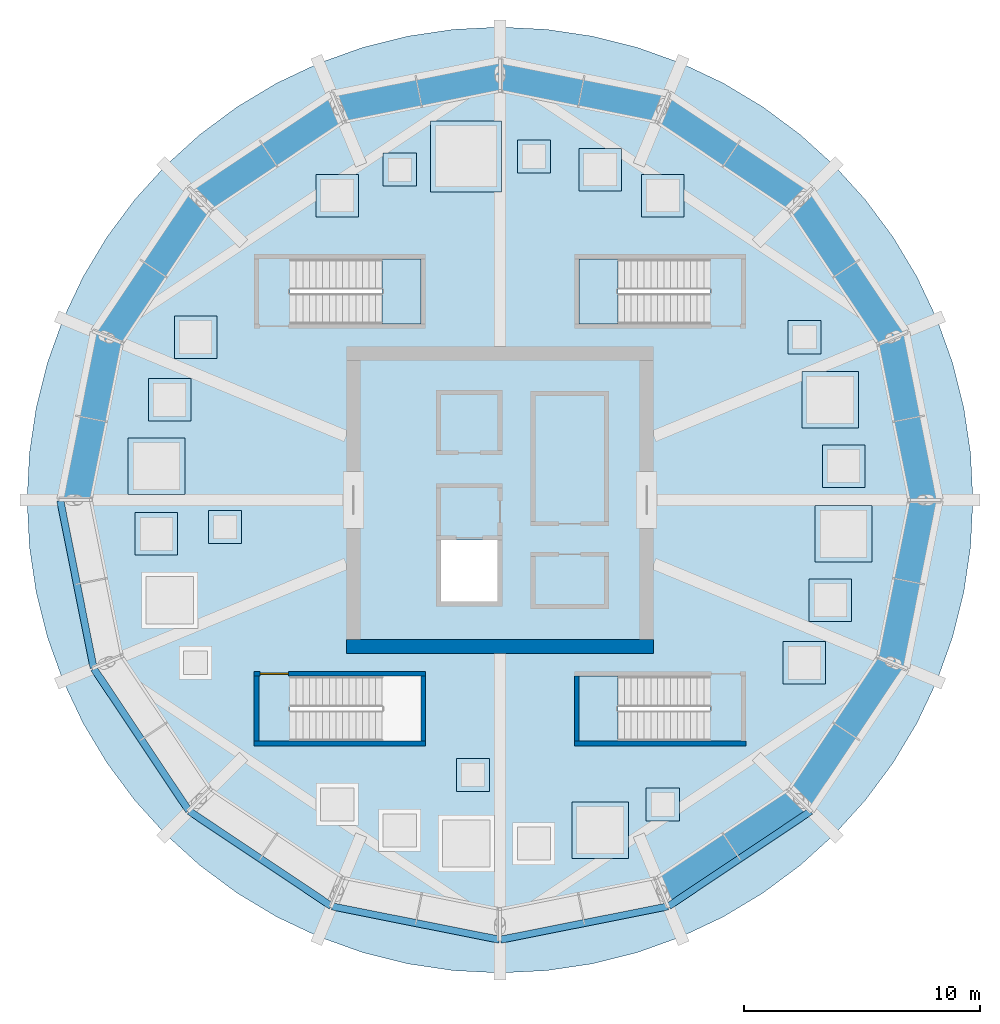
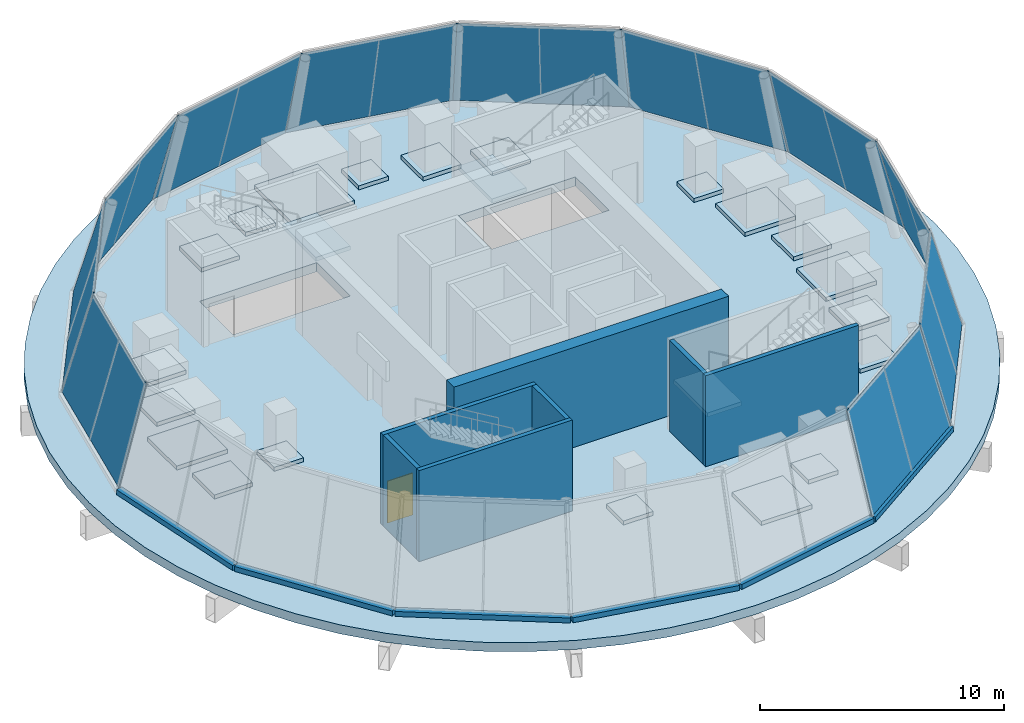
# One storey, part 3 of 7: 24 slabs, 13 walls, 11 plates, 1 door, 1 opening, 14 elements without a shape of their own.
"""IFC4 building model written with IfcOpenShell, lengths in metres."""

import ifcopenshell
import ifcopenshell.guid

model = None  # the IFC model being written
_history = None  # IfcOwnerHistory: only IFC2X3 demands one
_inside = {}  # id of a spatial element -> (the spatial element, [elements in it])
_under = {}  # id of a project, library or spatial element -> (it, [spatial elements below it])
_declared = {}  # id of a project -> (the project, [libraries it declares])
_typed = {}  # id of a type object -> (the type object, [elements of that type])
_made_of = {}  # id of a material, layer set ... -> (it, [elements and type objects made of it])


def new_model(schema):
    """Start an empty IFC model of exactly this schema.

    Asked for "IFC4X3", IfcOpenShell would pick the latest addendum, in which some entities
    have other attributes; the version numbers below select the first issue.
    IFC2X3 requires an IfcOwnerHistory on every rooted entity: one is made here for all.
    """
    global model, _history
    if schema == "IFC4X3":
        model = ifcopenshell.file(schema_version=(4, 3, 0, 0))
    else:
        model = ifcopenshell.file(schema=schema)
    _inside.clear()
    _under.clear()
    _declared.clear()
    _typed.clear()
    _made_of.clear()
    _history = None
    if model.schema == "IFC2X3":
        org = make("IfcOrganization", Name="unknown")
        user = make(
            "IfcPersonAndOrganization",
            ThePerson=make("IfcPerson", FamilyName="unknown"),
            TheOrganization=org,
        )
        app = make(
            "IfcApplication",
            ApplicationDeveloper=org,
            Version="unknown",
            ApplicationFullName="unknown",
            ApplicationIdentifier="unknown",
        )
        _history = make(
            "IfcOwnerHistory",
            OwningUser=user,
            OwningApplication=app,
            ChangeAction="ADDED",
            CreationDate=0,
        )
    return model


def make(cls, **values):
    """One entity of the class cls with the attributes given. An attribute that is None is left unset."""
    return model.create_entity(
        cls, **{name: value for name, value in values.items() if value is not None}
    )


def rooted(cls, **values):
    """An entity with a GlobalId (a new one), such as an element, a storey or a relation."""
    return make(cls, GlobalId=ifcopenshell.guid.new(), OwnerHistory=_history, **values)


def si_unit(unit_type, name, prefix=None):
    """IfcSIUnit, for example si_unit("LENGTHUNIT", "METRE", prefix="MILLI")."""
    return make("IfcSIUnit", UnitType=unit_type, Prefix=prefix, Name=name)


def assignment(units):
    """IfcUnitAssignment: the units of a project."""
    return None if units is None else make("IfcUnitAssignment", Units=units)


def point(xyz):
    """IfcCartesianPoint."""
    return None if xyz is None else make("IfcCartesianPoint", Coordinates=xyz)


def direction(xyz):
    """IfcDirection."""
    return None if xyz is None else make("IfcDirection", DirectionRatios=xyz)


def frame(location, z_axis=None, x_axis=None):
    """IfcAxis2Placement3D, a coordinate frame: its origin and axes. An axis left out is left unset."""
    return make(
        "IfcAxis2Placement3D",
        Location=point(location),
        Axis=direction(z_axis),
        RefDirection=direction(x_axis),
    )


def frame_2d(location, x_axis=None):
    """IfcAxis2Placement2D, a coordinate frame in the plane: its origin and x axis."""
    return make(
        "IfcAxis2Placement2D", Location=point(location), RefDirection=direction(x_axis)
    )


def origin():
    """The frame at (0, 0, 0) with its axes left unset."""
    return frame((0.0, 0.0, 0.0))


def place(relative_to, where):
    """IfcLocalPlacement: puts the frame where relative to a parent placement (None: the world)."""
    return make(
        "IfcLocalPlacement", PlacementRelTo=relative_to, RelativePlacement=where
    )


def context(
    kind, dimensions, precision=None, world=None, true_north=None, identifier=None
):
    """IfcGeometricRepresentationContext, for example the 3D "Model" context."""
    return make(
        "IfcGeometricRepresentationContext",
        ContextIdentifier=identifier,
        ContextType=kind,
        CoordinateSpaceDimension=dimensions,
        Precision=precision,
        WorldCoordinateSystem=world,
        TrueNorth=true_north,
    )


def subcontext(parent, identifier, kind, view, scale=None):
    """IfcGeometricRepresentationSubContext, for example "Body" below "Model"."""
    return make(
        "IfcGeometricRepresentationSubContext",
        ContextIdentifier=identifier,
        ContextType=kind,
        ParentContext=parent,
        TargetScale=scale,
        TargetView=view,
    )


def project(units=None, contexts=None):
    """IfcProject with its units and contexts."""
    return rooted(
        "IfcProject",
        Name="project",
        RepresentationContexts=contexts,
        UnitsInContext=assignment(units),
    )


def spatial(cls, under=None, at=None, **own):
    """A site, building, storey or space (cls), placed at a placement, below another one or the project."""
    s = rooted(cls, ObjectPlacement=at, **own)
    if under is not None:
        _under.setdefault(under.id(), (under, []))[1].append(s)
    return s


def polyline(points):
    """IfcPolyline through the points."""
    return make("IfcPolyline", Points=[point(p) for p in points])


def profile(cls, at=None, kind="AREA", **sizes):
    """A parametric profile (cls). Its sizes go by their IFC names, for example OverallWidth=200.0."""
    return make(cls, ProfileType=kind, Position=at, **sizes)


def rectangle(**sizes):
    """IfcRectangleProfileDef."""
    return profile("IfcRectangleProfileDef", **sizes)


def outline(outer, holes=None, kind="AREA"):
    """IfcArbitraryClosedProfileDef: a profile drawn as a closed curve; with holes, ...WithVoids."""
    if holes is None:
        return make("IfcArbitraryClosedProfileDef", ProfileType=kind, OuterCurve=outer)
    return make(
        "IfcArbitraryProfileDefWithVoids",
        ProfileType=kind,
        OuterCurve=outer,
        InnerCurves=holes,
    )


def extrude(swept, where, along, depth):
    """IfcExtrudedAreaSolid: the profile swept, set in the frame where, extruded along a direction by depth."""
    return make(
        "IfcExtrudedAreaSolid",
        SweptArea=swept,
        Position=where,
        ExtrudedDirection=direction(along),
        Depth=depth,
    )


def shape(context_of_items, identifier, shape_type, items):
    """IfcShapeRepresentation: the items that make up one representation, for example the "Body"."""
    return make(
        "IfcShapeRepresentation",
        ContextOfItems=context_of_items,
        RepresentationIdentifier=identifier,
        RepresentationType=shape_type,
        Items=items,
    )


def material(Name=None, Category=None):
    """IfcMaterial."""
    return make("IfcMaterial", Name=Name, Category=Category)


def layer(
    of_material, thickness, ventilated=None, Name=None, Category=None, Priority=None
):
    """IfcMaterialLayer: one layer of a wall or slab, of a material (None: an air gap)."""
    return make(
        "IfcMaterialLayer",
        Material=of_material,
        LayerThickness=thickness,
        IsVentilated=ventilated,
        Name=Name,
        Category=Category,
        Priority=Priority,
    )


def layer_set(layers, Name=None):
    """IfcMaterialLayerSet."""
    return make("IfcMaterialLayerSet", MaterialLayers=layers, LayerSetName=Name)


def made_of(thing, what):
    """Note that an element or type object is made of a material, layer set ...; save() writes the relation."""
    if what is not None:
        _made_of.setdefault(what.id(), (what, []))[1].append(thing)
    return thing


def type_object(cls, material=None, **own):
    """A type object (cls), such as IfcWallType, which elements share."""
    return made_of(rooted(cls, **own), material)


def element(
    cls,
    number,
    at=None,
    inside=None,
    cuts=None,
    type_object=None,
    material=None,
    context=None,
    identifier="Body",
    shape_type=None,
    held_by="IfcProductDefinitionShape",
    body=None,
    shapes=None,
    **own,
):
    """One element of the class cls, such as IfcWall. Its Tag is "e" and its number.

    at: its placement. inside: the storey or other place that contains it. cuts: it is an
    opening in that element (IfcRelVoidsElement). A single representation is given by context,
    identifier, shape_type and body (its items); several are given by shapes. held_by: the class
    of the entity that holds the representations. save() writes the other relations.
    """
    e = rooted(cls, Tag="e%d" % number, ObjectPlacement=at, **own)
    if body is not None:
        shapes = [shape(context, identifier, shape_type, body)]
    if shapes is not None:
        e.Representation = make(held_by, Representations=shapes)
    if inside is not None:
        _inside.setdefault(inside.id(), (inside, []))[1].append(e)
    if cuts is not None:
        rooted(
            "IfcRelVoidsElement", RelatingBuildingElement=cuts, RelatedOpeningElement=e
        )
    if type_object is not None:
        _typed.setdefault(type_object.id(), (type_object, []))[1].append(e)
    return made_of(e, material)


def fill(opening, filler):
    """IfcRelFillsElement: the door or window that sits in an opening."""
    return rooted(
        "IfcRelFillsElement",
        RelatingOpeningElement=opening,
        RelatedBuildingElement=filler,
    )


def aggregate(whole, parts):
    """IfcRelAggregates: a whole, such as a stair, and the parts it consists of."""
    return rooted("IfcRelAggregates", RelatingObject=whole, RelatedObjects=parts)


def save(model, path):
    """Write the relations noted so far, then the file.

    IfcRelAggregates (storeys below a building ...), IfcRelContainedInSpatialStructure (elements
    in a storey), IfcRelDefinesByType, IfcRelAssociatesMaterial and IfcRelDeclares: one each for
    every whole, place, type object, material and project.
    """
    for whole, parts in _under.values():
        aggregate(whole, parts)
    for where, things in _inside.values():
        rooted(
            "IfcRelContainedInSpatialStructure",
            RelatedElements=things,
            RelatingStructure=where,
        )
    for kind, things in _typed.values():
        rooted("IfcRelDefinesByType", RelatedObjects=things, RelatingType=kind)
    for what, things in _made_of.values():
        rooted("IfcRelAssociatesMaterial", RelatedObjects=things, RelatingMaterial=what)
    for by, libraries in _declared.values():
        rooted("IfcRelDeclares", RelatingContext=by, RelatedDefinitions=libraries)
    model.write(path)


model = new_model("IFC4")

# Units and contexts
model_context = context("Model", 3, precision=1e-05, world=origin(), true_north=direction((0.0, 1.0)))
body_context = subcontext(model_context, "Body", "Model", "MODEL_VIEW")
ifc_project = project(units=[si_unit("LENGTHUNIT", "METRE"), si_unit("AREAUNIT", "SQUARE_METRE"), si_unit("VOLUMEUNIT", "CUBIC_METRE"), si_unit("PLANEANGLEUNIT", "RADIAN"), si_unit("MASSUNIT", "GRAM", prefix="KILO")], contexts=[model_context])

# Site, building, storey
site_placement = place(None, origin())
site = spatial("IfcSite", under=ifc_project, at=site_placement, CompositionType="ELEMENT")
building_placement = place(site_placement, origin())
building = spatial("IfcBuilding", under=site, at=building_placement, Name="Corvane Civic Tower", CompositionType="ELEMENT")
storey_placement = place(building_placement, frame((0.0, 0.0, 387.5)))
storey = spatial("IfcBuildingStorey", under=building, at=storey_placement, Name="L92", CompositionType="ELEMENT", Elevation=387.5)

# Curtain wall, plate
ifc_material_1 = material(Name="Aluminium and glass", Category="aluminium")
curtain_wall_type = type_object("IfcCurtainWallType", Name="CROWN-CW-K-FACET", PredefinedType="NOTDEFINED", material=ifc_material_1)
curtain_wall_1_placement = place(storey_placement, origin())
curtain_wall_1 = element("IfcCurtainWall", 1, at=curtain_wall_1_placement, inside=storey, type_object=curtain_wall_type, Name="Glass cone facet 1 row 1", PredefinedType="NOTDEFINED")
ifc_material_2 = material(Name="Glass tinted low-e laminated", Category="glass")
ifc_layer_1 = layer(ifc_material_2, 0.030029296875)
ifc_layer_set_1 = layer_set([ifc_layer_1], Name="Glass tinted low-e laminated")
plate_type = type_object("IfcPlateType", Name="CROWN-CWK-PANEL-IGU30", PredefinedType="CURTAIN_PANEL", material=ifc_layer_set_1)
plate_1_placement = place(storey_placement, frame((0.0, 18.60009765625, 0.25), z_axis=(-0.188448595812, 0.947242463918, 0.259265966311), x_axis=(-0.980779363242, -0.195120067229, -1.853551e-06)))
plate_1 = element("IfcPlate", 2, at=plate_1_placement, type_object=plate_type, Name="Cone glass panel 1.1", PredefinedType="CURTAIN_PANEL", context=body_context, shape_type="SweptSolid", body=[
    extrude(outline(polyline([(0.0, 0.0), (7.257402032530451, 1.1102230246251565e-16), (7.003770764412753, 4.9181856008742155), (0.25365681037709303, 4.918158717992585), (0.0, 0.0)])), origin(), (0.0, 0.0, -1.0), 0.030029296875),
])
aggregate(curtain_wall_1, [plate_1])

curtain_wall_2_placement = place(storey_placement, origin())
curtain_wall_2 = element("IfcCurtainWall", 3, at=curtain_wall_2_placement, inside=storey, type_object=curtain_wall_type, Name="Glass cone facet 2 row 1", PredefinedType="NOTDEFINED")
plate_2_placement = place(storey_placement, frame((-7.117919921875, 17.18408203125, 0.25), z_axis=(-0.536583736184, 0.803040755887, 0.259236259899), x_axis=(-0.831465261249, -0.555576744777, 1.26104e-07)))
plate_2 = element("IfcPlate", 4, at=plate_2_placement, type_object=plate_type, Name="Cone glass panel 2.1", PredefinedType="CURTAIN_PANEL", context=body_context, shape_type="SweptSolid", body=[
    extrude(outline(polyline([(0.0, 0.0), (7.257286459230759, -1.1102230246251565e-16), (7.003693243644665, 4.918130639020148), (0.25350543423049604, 4.918132467940317), (0.0, 0.0)])), origin(), (0.0, 0.0, -1.0), 0.030029296875),
])
aggregate(curtain_wall_2, [plate_2])

curtain_wall_3_placement = place(storey_placement, origin())
curtain_wall_3 = element("IfcCurtainWall", 5, at=curtain_wall_3_placement, inside=storey, type_object=curtain_wall_type, Name="Glass cone facet 3 row 1", PredefinedType="NOTDEFINED")
plate_3_placement = place(storey_placement, frame((-13.152099609375, 13.152099609375, 0.25), z_axis=(-0.803040755887, 0.536583736184, 0.259236259899), x_axis=(-0.555576744777, -0.831465261249, -1.26104e-07)))
plate_3 = element("IfcPlate", 6, at=plate_3_placement, type_object=plate_type, Name="Cone glass panel 3.1", PredefinedType="CURTAIN_PANEL", context=body_context, shape_type="SweptSolid", body=[
    extrude(outline(polyline([(0.0, 0.0), (7.257286459230759, 1.1102230246251565e-16), (7.003781025000263, 4.918132467940317), (0.25359321558609466, 4.9181306390201485), (0.0, 0.0)])), origin(), (0.0, 0.0, -1.0), 0.030029296875),
])
aggregate(curtain_wall_3, [plate_3])

curtain_wall_4_placement = place(storey_placement, origin())
curtain_wall_4 = element("IfcCurtainWall", 7, at=curtain_wall_4_placement, inside=storey, type_object=curtain_wall_type, Name="Glass cone facet 4 row 1", PredefinedType="NOTDEFINED")
plate_4_placement = place(storey_placement, frame((-17.18408203125, 7.117919921875, 0.25), z_axis=(-0.947254419802, 0.188450974369, 0.259220551701), x_axis=(-0.1951200674, -0.980779363208, 1.85325e-06)))
plate_4 = element("IfcPlate", 8, at=plate_4_placement, type_object=plate_type, Name="Cone glass panel 4.1", PredefinedType="CURTAIN_PANEL", context=body_context, shape_type="SweptSolid", body=[
    extrude(outline(polyline([(0.0, 0.0), (7.257402032530447, 0.0), (7.003792857235194, 4.9180966449594035), (0.2536789031995191, 4.9181235231320635), (0.0, 0.0)])), origin(), (0.0, 0.0, -1.0), 0.030029296875),
])
aggregate(curtain_wall_4, [plate_4])

curtain_wall_5_placement = place(storey_placement, origin())
curtain_wall_5 = element("IfcCurtainWall", 9, at=curtain_wall_5_placement, inside=storey, type_object=curtain_wall_type, Name="Glass cone facet 10 row 1", PredefinedType="NOTDEFINED")
plate_5_placement = place(storey_placement, frame((7.117919921875, -17.18408203125, 0.25), z_axis=(0.536583736184, -0.803040755887, 0.259236259899), x_axis=(0.831465261249, 0.555576744777, 1.26104e-07)))
plate_5 = element("IfcPlate", 10, at=plate_5_placement, type_object=plate_type, Name="Cone glass panel 10.1", PredefinedType="CURTAIN_PANEL", context=body_context, shape_type="SweptSolid", body=[
    extrude(outline(polyline([(0.0, 0.0), (7.257286459230759, -1.1102230246251565e-16), (7.003693243644665, 4.918130639020148), (0.25350543423049604, 4.918132467940317), (0.0, 0.0)])), origin(), (0.0, 0.0, -1.0), 0.030029296875),
])
aggregate(curtain_wall_5, [plate_5])

curtain_wall_6_placement = place(storey_placement, origin())
curtain_wall_6 = element("IfcCurtainWall", 11, at=curtain_wall_6_placement, inside=storey, type_object=curtain_wall_type, Name="Glass cone facet 11 row 1", PredefinedType="NOTDEFINED")
plate_6_placement = place(storey_placement, frame((13.152099609375, -13.152099609375, 0.25), z_axis=(0.803040755887, -0.536583736184, 0.259236259899), x_axis=(0.555576744777, 0.831465261249, -1.26104e-07)))
plate_6 = element("IfcPlate", 12, at=plate_6_placement, type_object=plate_type, Name="Cone glass panel 11.1", PredefinedType="CURTAIN_PANEL", context=body_context, shape_type="SweptSolid", body=[
    extrude(outline(polyline([(0.0, 0.0), (7.257286459230759, 1.1102230246251565e-16), (7.003781025000263, 4.918132467940317), (0.25359321558609466, 4.9181306390201485), (0.0, 0.0)])), origin(), (0.0, 0.0, -1.0), 0.030029296875),
])
aggregate(curtain_wall_6, [plate_6])

curtain_wall_7_placement = place(storey_placement, origin())
curtain_wall_7 = element("IfcCurtainWall", 13, at=curtain_wall_7_placement, inside=storey, type_object=curtain_wall_type, Name="Glass cone facet 12 row 1", PredefinedType="NOTDEFINED")
plate_7_placement = place(storey_placement, frame((17.18408203125, -7.117919921875, 0.25), z_axis=(0.947254419802, -0.188450974369, 0.259220551701), x_axis=(0.1951200674, 0.980779363208, 1.85325e-06)))
plate_7 = element("IfcPlate", 14, at=plate_7_placement, type_object=plate_type, Name="Cone glass panel 12.1", PredefinedType="CURTAIN_PANEL", context=body_context, shape_type="SweptSolid", body=[
    extrude(outline(polyline([(0.0, 0.0), (7.257402032530447, 0.0), (7.003792857235194, 4.9180966449594035), (0.2536789031995191, 4.9181235231320635), (0.0, 0.0)])), origin(), (0.0, 0.0, -1.0), 0.030029296875),
])
aggregate(curtain_wall_7, [plate_7])

curtain_wall_8_placement = place(storey_placement, origin())
curtain_wall_8 = element("IfcCurtainWall", 15, at=curtain_wall_8_placement, inside=storey, type_object=curtain_wall_type, Name="Glass cone facet 13 row 1", PredefinedType="NOTDEFINED")
plate_8_placement = place(storey_placement, frame((18.60009765625, 0.0, 0.25), z_axis=(0.947242463918, 0.188448595812, 0.259265966311), x_axis=(-0.195120067229, 0.980779363242, -1.853551e-06)))
plate_8 = element("IfcPlate", 16, at=plate_8_placement, type_object=plate_type, Name="Cone glass panel 13.1", PredefinedType="CURTAIN_PANEL", context=body_context, shape_type="SweptSolid", body=[
    extrude(outline(polyline([(0.0, 0.0), (7.257402032530451, 1.1102230246251565e-16), (7.003770764412753, 4.9181856008742155), (0.25365681037709303, 4.918158717992585), (0.0, 0.0)])), origin(), (0.0, 0.0, -1.0), 0.030029296875),
])
aggregate(curtain_wall_8, [plate_8])

curtain_wall_9_placement = place(storey_placement, origin())
curtain_wall_9 = element("IfcCurtainWall", 17, at=curtain_wall_9_placement, inside=storey, type_object=curtain_wall_type, Name="Glass cone facet 14 row 1", PredefinedType="NOTDEFINED")
plate_9_placement = place(storey_placement, frame((17.18408203125, 7.117919921875, 0.25), z_axis=(0.803040755887, 0.536583736184, 0.259236259899), x_axis=(-0.555576744777, 0.831465261249, 1.26104e-07)))
plate_9 = element("IfcPlate", 18, at=plate_9_placement, type_object=plate_type, Name="Cone glass panel 14.1", PredefinedType="CURTAIN_PANEL", context=body_context, shape_type="SweptSolid", body=[
    extrude(outline(polyline([(0.0, 0.0), (7.257286459230759, -1.1102230246251565e-16), (7.003693243644665, 4.918130639020148), (0.25350543423049604, 4.918132467940317), (0.0, 0.0)])), origin(), (0.0, 0.0, -1.0), 0.030029296875),
])
aggregate(curtain_wall_9, [plate_9])

curtain_wall_10_placement = place(storey_placement, origin())
curtain_wall_10 = element("IfcCurtainWall", 19, at=curtain_wall_10_placement, inside=storey, type_object=curtain_wall_type, Name="Glass cone facet 15 row 1", PredefinedType="NOTDEFINED")
plate_10_placement = place(storey_placement, frame((13.152099609375, 13.152099609375, 0.25), z_axis=(0.536583736184, 0.803040755887, 0.259236259899), x_axis=(-0.831465261249, 0.555576744777, -1.26104e-07)))
plate_10 = element("IfcPlate", 20, at=plate_10_placement, type_object=plate_type, Name="Cone glass panel 15.1", PredefinedType="CURTAIN_PANEL", context=body_context, shape_type="SweptSolid", body=[
    extrude(outline(polyline([(0.0, 0.0), (7.257286459230759, 1.1102230246251565e-16), (7.003781025000263, 4.918132467940317), (0.25359321558609466, 4.9181306390201485), (0.0, 0.0)])), origin(), (0.0, 0.0, -1.0), 0.030029296875),
])
aggregate(curtain_wall_10, [plate_10])

curtain_wall_11_placement = place(storey_placement, origin())
curtain_wall_11 = element("IfcCurtainWall", 21, at=curtain_wall_11_placement, inside=storey, type_object=curtain_wall_type, Name="Glass cone facet 16 row 1", PredefinedType="NOTDEFINED")
plate_11_placement = place(storey_placement, frame((7.117919921875, 17.18408203125, 0.25), z_axis=(0.188450974369, 0.947254419802, 0.259220551701), x_axis=(-0.980779363208, 0.1951200674, 1.85325e-06)))
plate_11 = element("IfcPlate", 22, at=plate_11_placement, type_object=plate_type, Name="Cone glass panel 16.1", PredefinedType="CURTAIN_PANEL", context=body_context, shape_type="SweptSolid", body=[
    extrude(outline(polyline([(0.0, 0.0), (7.257402032530447, 0.0), (7.003792857235194, 4.9180966449594035), (0.2536789031995191, 4.9181235231320635), (0.0, 0.0)])), origin(), (0.0, 0.0, -1.0), 0.030029296875),
])
aggregate(curtain_wall_11, [plate_11])

# Slabs
ifc_material_3 = material(Name="Concrete C30/37", Category="concrete")
ifc_layer_2 = layer(ifc_material_3, 0.199951171875)
ifc_layer_set_2 = layer_set([ifc_layer_2], Name="Concrete C30/37")
slab_type_1 = type_object("IfcSlabType", Name="CROWN-SL-PLINTH-200", PredefinedType="USERDEFINED", material=ifc_layer_set_2)
slab_1_placement = place(storey_placement, origin())
element("IfcSlab", 23, at=slab_1_placement, inside=storey, type_object=slab_type_1, Name="Chiller plinth L92-01", ObjectType="PLINTH", PredefinedType="USERDEFINED", context=body_context, shape_type="SweptSolid", body=[
    extrude(outline(polyline([(0.069091796875, 13.030029296875), (0.069091796875, 16.030029296875), (-2.930908203125, 16.030029296875), (-2.930908203125, 13.030029296875), (0.069091796875, 13.030029296875)])), origin(), (0.0, 0.0, 1.0), 0.199951171875),
])
slab_2_placement = place(storey_placement, origin())
element("IfcSlab", 24, at=slab_2_placement, inside=storey, type_object=slab_type_1, Name="Chiller plinth L92-02", ObjectType="PLINTH", PredefinedType="USERDEFINED", context=body_context, shape_type="SweptSolid", body=[
    extrude(outline(polyline([(-3.5380859375, 13.27099609375), (-3.5380859375, 14.6708984375), (-4.93798828125, 14.6708984375), (-4.93798828125, 13.27099609375), (-3.5380859375, 13.27099609375)])), origin(), (0.0, 0.0, 1.0), 0.199951171875),
])
slab_3_placement = place(storey_placement, origin())
element("IfcSlab", 25, at=slab_3_placement, inside=storey, type_object=slab_type_1, Name="Air handler plinth L92-03", ObjectType="PLINTH", PredefinedType="USERDEFINED", context=body_context, shape_type="SweptSolid", body=[
    extrude(outline(polyline([(-5.98193359375, 11.97607421875), (-5.98193359375, 13.77587890625), (-7.781982421875, 13.77587890625), (-7.781982421875, 11.97607421875), (-5.98193359375, 11.97607421875)])), origin(), (0.0, 0.0, 1.0), 0.199951171875),
])
slab_4_placement = place(storey_placement, origin())
element("IfcSlab", 26, at=slab_4_placement, inside=storey, type_object=slab_type_1, Name="Water tank plinth L92-04", ObjectType="PLINTH", PredefinedType="USERDEFINED", context=body_context, shape_type="SweptSolid", body=[
    extrude(outline(polyline([(-11.97607421875, 5.98193359375), (-11.97607421875, 7.781982421875), (-13.77587890625, 7.781982421875), (-13.77587890625, 5.98193359375), (-11.97607421875, 5.98193359375)])), origin(), (0.0, 0.0, 1.0), 0.199951171875),
])
slab_5_placement = place(storey_placement, origin())
element("IfcSlab", 27, at=slab_5_placement, inside=storey, type_object=slab_type_1, Name="Chiller plinth L92-05", ObjectType="PLINTH", PredefinedType="USERDEFINED", context=body_context, shape_type="SweptSolid", body=[
    extrude(outline(polyline([(-13.071044921875, 3.337890625), (-13.071044921875, 5.137939453125), (-14.87109375, 5.137939453125), (-14.87109375, 3.337890625), (-13.071044921875, 3.337890625)])), origin(), (0.0, 0.0, 1.0), 0.199951171875),
])
slab_6_placement = place(storey_placement, origin())
element("IfcSlab", 28, at=slab_6_placement, inside=storey, type_object=slab_type_1, Name="Chiller plinth L92-06", ObjectType="PLINTH", PredefinedType="USERDEFINED", context=body_context, shape_type="SweptSolid", body=[
    extrude(outline(polyline([(-13.330078125, 0.23095703125), (-13.330078125, 2.631103515625), (-15.72998046875, 2.631103515625), (-15.72998046875, 0.23095703125), (-13.330078125, 0.23095703125)])), origin(), (0.0, 0.0, 1.0), 0.199951171875),
])
slab_7_placement = place(storey_placement, origin())
element("IfcSlab", 29, at=slab_7_placement, inside=storey, type_object=slab_type_1, Name="Air handler plinth L92-07", ObjectType="PLINTH", PredefinedType="USERDEFINED", context=body_context, shape_type="SweptSolid", body=[
    extrude(outline(polyline([(-13.6298828125, -2.3310546875), (-13.6298828125, -0.531005859375), (-15.429931640625, -0.531005859375), (-15.429931640625, -2.3310546875), (-13.6298828125, -2.3310546875)])), origin(), (0.0, 0.0, 1.0), 0.199951171875),
])
slab_8_placement = place(storey_placement, origin())
element("IfcSlab", 30, at=slab_8_placement, inside=storey, type_object=slab_type_1, Name="Chiller plinth L92-14", ObjectType="PLINTH", PredefinedType="USERDEFINED", context=body_context, shape_type="SweptSolid", body=[
    extrude(outline(polyline([(5.43798828125, -15.1708984375), (5.43798828125, -12.77099609375), (3.0380859375, -12.77099609375), (3.0380859375, -15.1708984375), (5.43798828125, -15.1708984375)])), origin(), (0.0, 0.0, 1.0), 0.199951171875),
])
slab_9_placement = place(storey_placement, origin())
element("IfcSlab", 31, at=slab_9_placement, inside=storey, type_object=slab_type_1, Name="Air handler plinth L92-15", ObjectType="PLINTH", PredefinedType="USERDEFINED", context=body_context, shape_type="SweptSolid", body=[
    extrude(outline(polyline([(7.58203125, -13.575927734375), (7.58203125, -12.176025390625), (6.181884765625, -12.176025390625), (6.181884765625, -13.575927734375), (7.58203125, -13.575927734375)])), origin(), (0.0, 0.0, 1.0), 0.199951171875),
])
slab_10_placement = place(storey_placement, origin())
element("IfcSlab", 32, at=slab_10_placement, inside=storey, type_object=slab_type_1, Name="Water tank plinth L92-16", ObjectType="PLINTH", PredefinedType="USERDEFINED", context=body_context, shape_type="SweptSolid", body=[
    extrude(outline(polyline([(13.77587890625, -7.781982421875), (13.77587890625, -5.98193359375), (11.97607421875, -5.98193359375), (11.97607421875, -7.781982421875), (13.77587890625, -7.781982421875)])), origin(), (0.0, 0.0, 1.0), 0.199951171875),
])
slab_11_placement = place(storey_placement, origin())
element("IfcSlab", 33, at=slab_11_placement, inside=storey, type_object=slab_type_1, Name="Chiller plinth L92-17", ObjectType="PLINTH", PredefinedType="USERDEFINED", context=body_context, shape_type="SweptSolid", body=[
    extrude(outline(polyline([(14.87109375, -5.137939453125), (14.87109375, -3.337890625), (13.071044921875, -3.337890625), (13.071044921875, -5.137939453125), (14.87109375, -5.137939453125)])), origin(), (0.0, 0.0, 1.0), 0.199951171875),
])
slab_12_placement = place(storey_placement, origin())
element("IfcSlab", 34, at=slab_12_placement, inside=storey, type_object=slab_type_1, Name="Chiller plinth L92-18", ObjectType="PLINTH", PredefinedType="USERDEFINED", context=body_context, shape_type="SweptSolid", body=[
    extrude(outline(polyline([(15.72998046875, -2.631103515625), (15.72998046875, -0.23095703125), (13.330078125, -0.23095703125), (13.330078125, -2.631103515625), (15.72998046875, -2.631103515625)])), origin(), (0.0, 0.0, 1.0), 0.199951171875),
])
slab_13_placement = place(storey_placement, origin())
element("IfcSlab", 35, at=slab_13_placement, inside=storey, type_object=slab_type_1, Name="Air handler plinth L92-19", ObjectType="PLINTH", PredefinedType="USERDEFINED", context=body_context, shape_type="SweptSolid", body=[
    extrude(outline(polyline([(15.429931640625, 0.531005859375), (15.429931640625, 2.3310546875), (13.6298828125, 2.3310546875), (13.6298828125, 0.531005859375), (15.429931640625, 0.531005859375)])), origin(), (0.0, 0.0, 1.0), 0.199951171875),
])
slab_14_placement = place(storey_placement, origin())
element("IfcSlab", 36, at=slab_14_placement, inside=storey, type_object=slab_type_1, Name="Water tank plinth L92-20", ObjectType="PLINTH", PredefinedType="USERDEFINED", context=body_context, shape_type="SweptSolid", body=[
    extrude(outline(polyline([(15.1708984375, 3.0380859375), (15.1708984375, 5.43798828125), (12.77099609375, 5.43798828125), (12.77099609375, 3.0380859375), (15.1708984375, 3.0380859375)])), origin(), (0.0, 0.0, 1.0), 0.199951171875),
])
slab_15_placement = place(storey_placement, origin())
element("IfcSlab", 37, at=slab_15_placement, inside=storey, type_object=slab_type_1, Name="Chiller plinth L92-21", ObjectType="PLINTH", PredefinedType="USERDEFINED", context=body_context, shape_type="SweptSolid", body=[
    extrude(outline(polyline([(13.575927734375, 6.181884765625), (13.575927734375, 7.58203125), (12.176025390625, 7.58203125), (12.176025390625, 6.181884765625), (13.575927734375, 6.181884765625)])), origin(), (0.0, 0.0, 1.0), 0.199951171875),
])
slab_16_placement = place(storey_placement, origin())
element("IfcSlab", 38, at=slab_16_placement, inside=storey, type_object=slab_type_1, Name="Chiller plinth L92-22", ObjectType="PLINTH", PredefinedType="USERDEFINED", context=body_context, shape_type="SweptSolid", body=[
    extrude(outline(polyline([(7.781982421875, 11.97607421875), (7.781982421875, 13.77587890625), (5.98193359375, 13.77587890625), (5.98193359375, 11.97607421875), (7.781982421875, 11.97607421875)])), origin(), (0.0, 0.0, 1.0), 0.199951171875),
])
slab_17_placement = place(storey_placement, origin())
element("IfcSlab", 39, at=slab_17_placement, inside=storey, type_object=slab_type_1, Name="Air handler plinth L92-23", ObjectType="PLINTH", PredefinedType="USERDEFINED", context=body_context, shape_type="SweptSolid", body=[
    extrude(outline(polyline([(5.137939453125, 13.071044921875), (5.137939453125, 14.87109375), (3.337890625, 14.87109375), (3.337890625, 13.071044921875), (5.137939453125, 13.071044921875)])), origin(), (0.0, 0.0, 1.0), 0.199951171875),
])
slab_18_placement = place(storey_placement, origin())
element("IfcSlab", 40, at=slab_18_placement, inside=storey, type_object=slab_type_1, Name="Water tank plinth L92-24", ObjectType="PLINTH", PredefinedType="USERDEFINED", context=body_context, shape_type="SweptSolid", body=[
    extrude(outline(polyline([(2.131103515625, 13.830078125), (2.131103515625, 15.22998046875), (0.73095703125, 15.22998046875), (0.73095703125, 13.830078125), (2.131103515625, 13.830078125)])), origin(), (0.0, 0.0, 1.0), 0.199951171875),
])
slab_19_placement = place(storey_placement, origin())
element("IfcSlab", 41, at=slab_19_placement, inside=storey, type_object=slab_type_1, Name="Chiller plinth L92-25", ObjectType="PLINTH", PredefinedType="USERDEFINED", context=body_context, shape_type="SweptSolid", body=[
    extrude(outline(polyline([(-10.924072265625, -1.844970703125), (-10.924072265625, -0.445068359375), (-12.323974609375, -0.445068359375), (-12.323974609375, -1.844970703125), (-10.924072265625, -1.844970703125)])), origin(), (0.0, 0.0, 1.0), 0.199951171875),
])
slab_20_placement = place(storey_placement, origin())
element("IfcSlab", 42, at=slab_20_placement, inside=storey, type_object=slab_type_1, Name="Chiller plinth L92-26", ObjectType="PLINTH", PredefinedType="USERDEFINED", context=body_context, shape_type="SweptSolid", body=[
    extrude(outline(polyline([(-0.445068359375, -12.323974609375), (-0.445068359375, -10.924072265625), (-1.844970703125, -10.924072265625), (-1.844970703125, -12.323974609375), (-0.445068359375, -12.323974609375)])), origin(), (0.0, 0.0, 1.0), 0.199951171875),
])

# Stair, slab
ifc_material_4 = material(Name="Concrete C40/50", Category="concrete")
stair_type = type_object("IfcStairType", Name="ST-STAIR-HALFTURN", PredefinedType="HALF_TURN_STAIR", material=ifc_material_4)
stair_1_placement = place(storey_placement, origin())
stair_1 = element("IfcStair", 43, at=stair_1_placement, inside=storey, type_object=stair_type, Name="L92 Exit stair ST1", PredefinedType="HALF_TURN_STAIR")
ifc_material_5 = material(Name="Concrete C40/50", Category="concrete")
ifc_layer_3 = layer(ifc_material_5, 0.199951171875)
ifc_layer_set_3 = layer_set([ifc_layer_3], Name="Concrete C40/50")
slab_type_2 = type_object("IfcSlabType", Name="ST-LANDING-RC", PredefinedType="LANDING", material=ifc_layer_set_3)
slab_21_placement = place(storey_placement, frame((0.0, 0.0, 2.300048828125)))
slab_21 = element("IfcSlab", 44, at=slab_21_placement, type_object=slab_type_2, Name="ST1 landing 1", PredefinedType="LANDING", context=body_context, shape_type="SweptSolid", body=[
    extrude(outline(polyline([(4.97998046875, 10.199951171875), (3.35009765625, 10.199951171875), (3.35009765625, 7.449951171875), (4.97998046875, 7.449951171875), (4.97998046875, 10.199951171875)])), origin(), (0.0, 0.0, 1.0), 0.199951171875),
])
aggregate(stair_1, [slab_21])

stair_2_placement = place(storey_placement, origin())
stair_2 = element("IfcStair", 45, at=stair_2_placement, inside=storey, type_object=stair_type, Name="L92 Exit stair ST2", PredefinedType="HALF_TURN_STAIR")
slab_22_placement = place(storey_placement, frame((0.0, 0.0, 2.300048828125)))
slab_22 = element("IfcSlab", 46, at=slab_22_placement, type_object=slab_type_2, Name="ST2 landing 1", PredefinedType="LANDING", context=body_context, shape_type="SweptSolid", body=[
    extrude(outline(polyline([(4.97998046875, -7.449951171875), (3.35009765625, -7.449951171875), (3.35009765625, -10.199951171875), (4.97998046875, -10.199951171875), (4.97998046875, -7.449951171875)])), origin(), (0.0, 0.0, 1.0), 0.199951171875),
])
aggregate(stair_2, [slab_22])

stair_3_placement = place(storey_placement, origin())
stair_3 = element("IfcStair", 47, at=stair_3_placement, inside=storey, type_object=stair_type, Name="L92 Exit stair ST4", PredefinedType="HALF_TURN_STAIR")
slab_23_placement = place(storey_placement, frame((0.0, 0.0, 2.300048828125)))
slab_23 = element("IfcSlab", 48, at=slab_23_placement, type_object=slab_type_2, Name="ST4 landing 1", PredefinedType="LANDING", context=body_context, shape_type="SweptSolid", body=[
    extrude(outline(polyline([(-4.97998046875, 7.449951171875), (-3.35009765625, 7.449951171875), (-3.35009765625, 10.199951171875), (-4.97998046875, 10.199951171875), (-4.97998046875, 7.449951171875)])), origin(), (0.0, 0.0, 1.0), 0.199951171875),
])
aggregate(stair_3, [slab_23])

# Slab
ifc_material_6 = material(Name="Concrete C50/60", Category="concrete")
ifc_layer_4 = layer(ifc_material_6, 0.449951171875)
ifc_layer_set_4 = layer_set([ifc_layer_4], Name="Concrete C50/60")
slab_type_3 = type_object("IfcSlabType", Name="TRANSFER FLOOR SLAB 450", PredefinedType="FLOOR", material=ifc_layer_set_4)
slab_24_placement = place(storey_placement, frame((0.0, 0.0, -0.449951171875)))
element("IfcSlab", 49, at=slab_24_placement, inside=storey, type_object=slab_type_3, Name="SLB-L92", PredefinedType="FLOOR", context=body_context, shape_type="SweptSolid", body=[
    extrude(outline(polyline([(0.0, 20.0), (-1.96044921875, 19.90380859375), (-3.90185546875, 19.61572265625), (-5.8056640625, 19.138916015625), (-7.653564453125, 18.4775390625), (-9.427978515625, 17.638427734375), (-11.111328125, 16.62939453125), (-12.687744140625, 15.460205078125), (-14.14208984375, 14.14208984375), (-15.460205078125, 12.687744140625), (-16.62939453125, 11.111328125), (-17.638427734375, 9.427978515625), (-18.4775390625, 7.653564453125), (-19.138916015625, 5.8056640625), (-19.61572265625, 3.90185546875), (-19.90380859375, 1.96044921875), (-20.0, 0.0), (-19.90380859375, -1.96044921875), (-19.61572265625, -3.90185546875), (-19.138916015625, -5.8056640625), (-18.4775390625, -7.653564453125), (-17.638427734375, -9.427978515625), (-16.62939453125, -11.111328125), (-15.460205078125, -12.687744140625), (-14.14208984375, -14.14208984375), (-12.687744140625, -15.460205078125), (-11.111328125, -16.62939453125), (-9.427978515625, -17.638427734375), (-7.653564453125, -18.4775390625), (-5.8056640625, -19.138916015625), (-3.90185546875, -19.61572265625), (-1.96044921875, -19.90380859375), (0.0, -20.0), (1.96044921875, -19.90380859375), (3.90185546875, -19.61572265625), (5.8056640625, -19.138916015625), (7.653564453125, -18.4775390625), (9.427978515625, -17.638427734375), (11.111328125, -16.62939453125), (12.687744140625, -15.460205078125), (14.14208984375, -14.14208984375), (15.460205078125, -12.687744140625), (16.62939453125, -11.111328125), (17.638427734375, -9.427978515625), (18.4775390625, -7.653564453125), (19.138916015625, -5.8056640625), (19.61572265625, -3.90185546875), (19.90380859375, -1.96044921875), (20.0, 0.0), (19.90380859375, 1.96044921875), (19.61572265625, 3.90185546875), (19.138916015625, 5.8056640625), (18.4775390625, 7.653564453125), (17.638427734375, 9.427978515625), (16.62939453125, 11.111328125), (15.460205078125, 12.687744140625), (14.14208984375, 14.14208984375), (12.687744140625, 15.460205078125), (11.111328125, 16.62939453125), (9.427978515625, 17.638427734375), (7.653564453125, 18.4775390625), (5.8056640625, 19.138916015625), (3.90185546875, 19.61572265625), (1.96044921875, 19.90380859375), (0.0, 20.0)]), holes=[polyline([(-0.10009765625, -1.699951171875), (-0.10009765625, -4.300048828125), (-2.5, -4.300048828125), (-2.5, -1.699951171875), (-0.10009765625, -1.699951171875)]), polyline([(8.889892578125, 10.199951171875), (8.889892578125, 7.449951171875), (3.35009765625, 7.449951171875), (3.35009765625, 10.199951171875), (8.889892578125, 10.199951171875)]), polyline([(-8.889892578125, 7.449951171875), (-8.889892578125, 10.199951171875), (-3.35009765625, 10.199951171875), (-3.35009765625, 7.449951171875), (-8.889892578125, 7.449951171875)]), polyline([(8.889892578125, -7.449951171875), (8.889892578125, -10.199951171875), (3.35009765625, -10.199951171875), (3.35009765625, -7.449951171875), (8.889892578125, -7.449951171875)]), polyline([(-8.889892578125, -10.199951171875), (-8.889892578125, -7.449951171875), (-3.35009765625, -7.449951171875), (-3.35009765625, -10.199951171875), (-8.889892578125, -10.199951171875)])]), origin(), (0.0, 0.0, 1.0), 0.449951171875),
])

# Walls
ifc_material_7 = material(Name="Concrete C40/50", Category="concrete")
ifc_layer_5 = layer(ifc_material_7, 0.60009765625)
ifc_layer_set_5 = layer_set([ifc_layer_5], Name="Concrete C40/50")
wall_type_1 = type_object("IfcWallType", Name="CORE WALL 600 C40/50", PredefinedType="SHEAR", material=ifc_layer_set_5)
wall_1_placement = place(storey_placement, frame((-6.5, -6.199951171875, 0.0), z_axis=(0.0, 0.0, 1.0), x_axis=(1.0, 0.0, 0.0)))
element("IfcWall", 50, at=wall_1_placement, inside=storey, type_object=wall_type_1, Name="W-L92-core-S", PredefinedType="SHEAR", context=body_context, shape_type="SweptSolid", body=[
    extrude(rectangle(XDim=13.0, YDim=0.60009765625, at=frame_2d((6.5, 0.0))), origin(), (0.0, 0.0, 1.0), 5.0),
])
ifc_material_8 = material(Name="Concrete C40/50", Category="concrete")
ifc_layer_6 = layer(ifc_material_8, 0.300048828125)
ifc_layer_set_6 = layer_set([ifc_layer_6], Name="Concrete C40/50")
wall_type_2 = type_object("IfcWallType", Name="CROWN-W-CONEKERB-300", PredefinedType="SOLIDWALL", material=ifc_layer_set_6)
for number, where, z_axis, x_axis, name in (
    (51, (-18.59619140625, -0.01953125, 0.0), (0.0, 0.0, 1.0), (0.195107759608, -0.980781811689, 0.0), "Glass cone kerb 5"),
    (52, (-17.173095703125, -7.134521484375, 0.0), (0.0, 0.0, 1.0), (0.555597572305, -0.831451344126, 0.0), "Glass cone kerb 6"),
    (53, (-13.135498046875, -13.1630859375, 0.0), (0.0, 0.0, 1.0), (0.831451344126, -0.555597572305, 0.0), "Glass cone kerb 7"),
    (54, (-7.098388671875, -17.18798828125, 0.0), (0.0, 0.0, 1.0), (0.980781811689, -0.195107759608, 0.0), "Glass cone kerb 8"),
    (55, (0.01953125, -18.59619140625, 0.0), (0.0, 0.0, 1.0), (0.980781811689, 0.195107759608, 0.0), "Glass cone kerb 9"),
    (56, (7.134521484375, -17.173095703125, 0.0), (0.0, 0.0, 1.0), (0.831451344126, 0.555597572305, 0.0), "Glass cone kerb 10"),
):
    element("IfcWall", number, at=place(storey_placement, frame(where, z_axis=z_axis, x_axis=x_axis)), inside=storey, type_object=wall_type_2, Name=name, PredefinedType="SOLIDWALL", context=body_context, shape_type="SweptSolid", body=[
        extrude(rectangle(XDim=7.217529296875, YDim=0.300048828125, at=frame_2d((3.60888671875, 0.0))), origin(), (0.0, 0.0, 1.0), 0.25),
    ])

# Wall, opening, door
ifc_material_9 = material(Name="Concrete C50/60", Category="concrete")
ifc_layer_7 = layer(ifc_material_9, 0.199951171875)
ifc_layer_set_7 = layer_set([ifc_layer_7], Name="Concrete C50/60")
wall_type_3 = type_object("IfcWallType", Name="ST-WALL-200", PredefinedType="SHEAR", material=ifc_layer_set_7)
wall_2_placement = place(storey_placement, frame((-10.39990234375, -7.35009765625, 0.0), z_axis=(0.0, 0.0, 1.0), x_axis=(1.0, 0.0, 0.0)))
wall_2 = element("IfcWall", 57, at=wall_2_placement, inside=storey, type_object=wall_type_3, Name="L92 stair enclosure wall", PredefinedType="SHEAR", context=body_context, shape_type="SweptSolid", body=[
    extrude(rectangle(XDim=7.25, YDim=0.199951171875, at=frame_2d((3.625, 0.0))), origin(), (0.0, 0.0, 1.0), 4.550048828125),
])
opening_placement = place(wall_2_placement, frame((0.25, 0.0, 0.0)))
opening = element("IfcOpeningElement", 58, at=opening_placement, cuts=wall_2, Name="Opening L92.C08", PredefinedType="OPENING", context=body_context, shape_type="SweptSolid", body=[
    extrude(rectangle(XDim=1.199951171875, YDim=2.10009765625, at=frame_2d((0.60009765625, 1.050048828125))), frame((0.0, 0.10986328125, 0.0), z_axis=(0.0, -1.0, 0.0), x_axis=(1.0, 0.0, 0.0)), (0.0, 0.0, 1.0), 0.219970703125),
])
ifc_material_10 = material(Name="Steel fire door leaf", Category="steel")
door_type = type_object("IfcDoorType", Name="ST-DOOR-1200", OperationType="SINGLE_SWING_RIGHT", PredefinedType="DOOR", material=ifc_material_10)
door_placement = place(opening_placement, origin())
door = element("IfcDoor", 59, at=door_placement, inside=storey, type_object=door_type, Name="L92 stair door", OperationType="SINGLE_SWING_RIGHT", OverallHeight=2.10009765625, OverallWidth=1.199951171875, PredefinedType="DOOR", context=body_context, shape_type="SweptSolid", body=[
    extrude(rectangle(XDim=1.199951171875, YDim=2.10009765625, at=frame_2d((0.60009765625, 1.050048828125))), frame((0.0, 0.02490234375, 0.0), z_axis=(0.0, -1.0, 0.0), x_axis=(1.0, 0.0, 0.0)), (0.0, 0.0, 1.0), 0.050048828125),
])
fill(opening, door)

# Walls
wall_3_placement = place(storey_placement, origin())
element("IfcWall", 60, at=wall_3_placement, inside=storey, type_object=wall_type_3, Name="L92 stair enclosure wall", PredefinedType="SHEAR", context=body_context, shape_type="SweptSolid", body=[
    extrude(outline(polyline([(-3.14990234375, -10.199951171875), (-3.14990234375, -10.39990234375), (-10.39990234375, -10.39990234375), (-10.39990234375, -10.199951171875), (-3.14990234375, -10.199951171875)])), origin(), (0.0, 0.0, 1.0), 4.550048828125),
])
wall_4_placement = place(storey_placement, origin())
element("IfcWall", 61, at=wall_4_placement, inside=storey, type_object=wall_type_3, Name="L92 stair enclosure wall", PredefinedType="SHEAR", context=body_context, shape_type="SweptSolid", body=[
    extrude(outline(polyline([(10.39990234375, -10.39990234375), (3.14990234375, -10.39990234375), (3.14990234375, -10.199951171875), (10.39990234375, -10.199951171875), (10.39990234375, -10.39990234375)])), origin(), (0.0, 0.0, 1.0), 4.550048828125),
])
wall_5_placement = place(storey_placement, origin())
element("IfcWall", 62, at=wall_5_placement, inside=storey, type_object=wall_type_3, Name="L92 stair enclosure wall", PredefinedType="SHEAR", context=body_context, shape_type="SweptSolid", body=[
    extrude(outline(polyline([(-3.14990234375, -7.449951171875), (-3.14990234375, -10.199951171875), (-3.35009765625, -10.199951171875), (-3.35009765625, -7.449951171875), (-3.14990234375, -7.449951171875)])), origin(), (0.0, 0.0, 1.0), 4.550048828125),
])
wall_6_placement = place(storey_placement, origin())
element("IfcWall", 63, at=wall_6_placement, inside=storey, type_object=wall_type_3, Name="L92 stair enclosure wall", PredefinedType="SHEAR", context=body_context, shape_type="SweptSolid", body=[
    extrude(outline(polyline([(3.35009765625, -7.449951171875), (3.35009765625, -10.199951171875), (3.14990234375, -10.199951171875), (3.14990234375, -7.449951171875), (3.35009765625, -7.449951171875)])), origin(), (0.0, 0.0, 1.0), 4.550048828125),
])
wall_7_placement = place(storey_placement, origin())
element("IfcWall", 64, at=wall_7_placement, inside=storey, type_object=wall_type_3, Name="L92 stair enclosure wall", PredefinedType="SHEAR", context=body_context, shape_type="SweptSolid", body=[
    extrude(outline(polyline([(-10.199951171875, -7.449951171875), (-10.199951171875, -10.199951171875), (-10.39990234375, -10.199951171875), (-10.39990234375, -7.449951171875), (-10.199951171875, -7.449951171875)])), origin(), (0.0, 0.0, 1.0), 4.550048828125),
])

save(model, "model.ifc")
